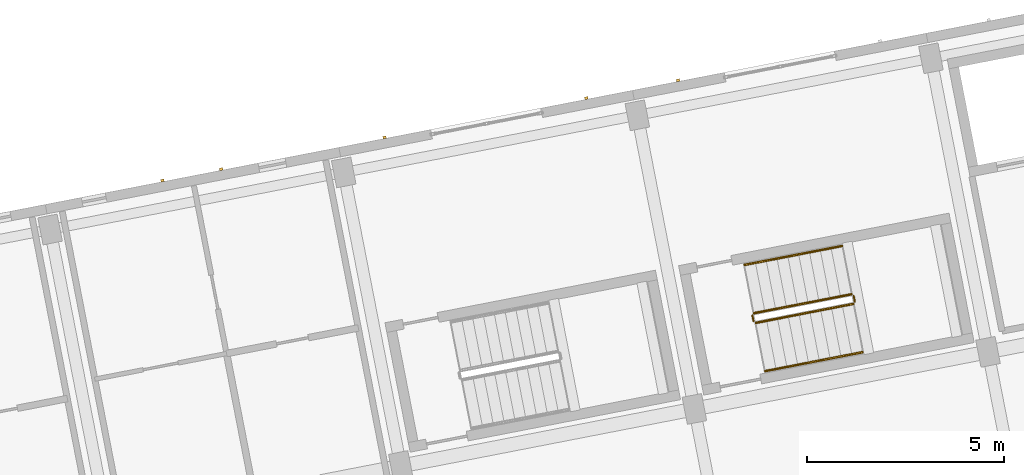
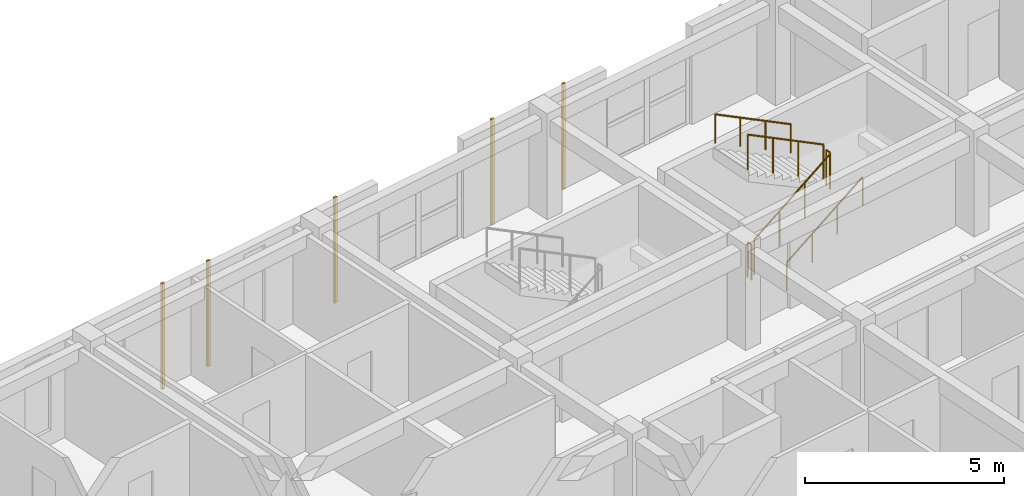
# One storey, part 120 of 127: 6 railings, 5 coverings.
"""IFC4 building model written with IfcOpenShell, lengths in metres."""

from ifc_helpers import new_model, si_unit, direction, frame, origin, origin_2d, place, context, subcontext, project, spatial, rectangle, circle, extrude, material, layer, layer_set, type_object, element, save


model = new_model("IFC4")

# Units and contexts
model_context = context("Model", 3, precision=1e-05, world=origin(), true_north=direction((0.0, 1.0)))
body_context = subcontext(model_context, "Body", "Model", "MODEL_VIEW")
ifc_project = project(units=[si_unit("LENGTHUNIT", "METRE"), si_unit("AREAUNIT", "SQUARE_METRE"), si_unit("VOLUMEUNIT", "CUBIC_METRE"), si_unit("PLANEANGLEUNIT", "RADIAN"), si_unit("MASSUNIT", "GRAM", prefix="KILO")], contexts=[model_context])

# Site, building, storey
site_placement = place(None, origin())
site = spatial("IfcSite", under=ifc_project, at=site_placement, CompositionType="ELEMENT")
building_placement = place(site_placement, origin())
building = spatial("IfcBuilding", under=site, at=building_placement, Name="Kestramere Prow Commons", CompositionType="ELEMENT")
storey_placement = place(building_placement, frame((0.0, 0.0, 8.39990234375)))
storey = spatial("IfcBuildingStorey", under=building, at=storey_placement, Name="L02", CompositionType="ELEMENT", Elevation=8.39990234375)

# Coverings
ifc_material_1 = material(Name="Weathered Zinc-Titanium Standing-Seam Cladding")
ifc_layer = layer(ifc_material_1, 0.074951171875)
ifc_layer_set = layer_set([ifc_layer], Name="Weathered Zinc-Titanium Standing-Seam Cladding")
covering_type = type_object("IfcCoveringType", Name="COV-CLAD-SEAM", PredefinedType="CLADDING", material=ifc_layer_set)
for number, where, z_axis, x_axis, name in (
    (1, (132.435791015625, 57.38525390625, -0.25), (0.0, 0.0, 1.0), (0.981627183448, 0.190808995377, 0.0), "EW-D-L02-N-2 Standing-Seam Rib 2"),
    (2, (133.927734375, 57.67529296875, -0.25), (0.0, 0.0, 1.0), (0.981627183448, 0.190808995377, 0.0), "EW-D-L02-N-2 Standing-Seam Rib 3"),
    (3, (138.07763671875, 58.48193359375, -0.25), (0.0, 0.0, 1.0), (0.981627183448, 0.190808995377, 0.0), "EW-D-L02-NP-3-L Standing-Seam Rib 1"),
    (4, (143.20654296875, 59.47900390625, -0.25), (0.0, 0.0, 1.0), (0.981627183448, 0.190808995377, 0.0), "EW-D-L02-NP-3-R Standing-Seam Rib 1"),
    (5, (145.5380859375, 59.93212890625, -0.25), (0.0, 0.0, 1.0), (0.981627183448, 0.190808995377, 0.0), "EW-D-L02-NP-4-L Standing-Seam Rib 1"),
):
    element("IfcCovering", number, at=place(storey_placement, frame(where, z_axis=z_axis, x_axis=x_axis)), inside=storey, type_object=covering_type, Name=name, PredefinedType="CLADDING", context=body_context, shape_type="SweptSolid", body=[
        extrude(rectangle(XDim=0.0849609375, YDim=0.06494140625, at=origin_2d()), origin(), (0.0, 0.0, 1.0), 3.25),
    ])

# Railings
ifc_material_2 = material(Name="Galvanised Steel S275JR", Category="steel")
railing_type_1 = type_object("IfcRailingType", Name="RL-ST-GR-1100", PredefinedType="GUARDRAIL", material=ifc_material_2)
railing_1_placement = place(storey_placement, frame((147.512939453125, 53.768310546875, 0.16259765625)))
element("IfcRailing", 6, at=railing_1_placement, inside=storey, type_object=railing_type_1, Name="L02 ST-D2 stair guard 1", PredefinedType="GUARDRAIL", context=body_context, shape_type="SweptSolid", body=[
    extrude(circle(Radius=0.02392578125, at=origin_2d()), frame((0.0, 0.0, 1.076171875), z_axis=(0.849020348783, 0.164994183454, 0.501937612437), x_axis=(-0.190765930203, 0.981635553489, 0.0)), (0.0, 0.0, 1.0), 2.91357421875),
    extrude(circle(Radius=0.02099609375, at=origin_2d()), origin(), (0.0, 0.0, 1.0), 1.052001953125),
    extrude(circle(Radius=0.02099609375, at=origin_2d()), frame((0.824462890625, 0.16015625, 0.487548828125)), (0.0, 0.0, 1.0), 1.052001953125),
    extrude(circle(Radius=0.02099609375, at=origin_2d()), frame((1.649169921875, 0.320556640625, 0.974853515625)), (0.0, 0.0, 1.0), 1.052001953125),
    extrude(circle(Radius=0.02099609375, at=origin_2d()), frame((2.4736328125, 0.480712890625, 1.46240234375)), (0.0, 0.0, 1.0), 1.052001953125),
])
railing_2_placement = place(storey_placement, frame((150.026123046875, 54.3076171875, 1.625)))
element("IfcRailing", 7, at=railing_2_placement, inside=storey, type_object=railing_type_1, Name="L02 ST-D2 stair guard 2", PredefinedType="GUARDRAIL", context=body_context, shape_type="SweptSolid", body=[
    extrude(circle(Radius=0.02392578125, at=origin_2d()), frame((0.0, 0.0, 1.076171875), z_axis=(-0.190477468355, 0.981691567677, 0.0), x_axis=(-0.981691567677, -0.190477468355, 0.0)), (0.0, 0.0, 1.0), 0.14990234375),
    extrude(circle(Radius=0.02099609375, at=origin_2d()), origin(), (0.0, 0.0, 1.0), 1.052001953125),
    extrude(circle(Radius=0.02099609375, at=origin_2d()), frame((-0.028564453125, 0.147216796875, 0.0)), (0.0, 0.0, 1.0), 1.052001953125),
])
railing_3_placement = place(storey_placement, frame((149.93896484375, 54.494384765625, 1.78759765625)))
element("IfcRailing", 8, at=railing_3_placement, inside=storey, type_object=railing_type_1, Name="L02 ST-D2 stair guard 3", PredefinedType="GUARDRAIL", context=body_context, shape_type="SweptSolid", body=[
    extrude(circle(Radius=0.02392578125, at=origin_2d()), frame((0.0, 0.0, 1.076171875), z_axis=(-0.849020348783, -0.164994183454, 0.501937612437), x_axis=(0.190765930203, -0.981635553489, 0.0)), (0.0, 0.0, 1.0), 2.91357421875),
    extrude(circle(Radius=0.02099609375, at=origin_2d()), origin(), (0.0, 0.0, 1.0), 1.052001953125),
    extrude(circle(Radius=0.02099609375, at=origin_2d()), frame((-0.824462890625, -0.16015625, 0.487548828125)), (0.0, 0.0, 1.0), 1.052001953125),
    extrude(circle(Radius=0.02099609375, at=origin_2d()), frame((-1.649169921875, -0.320556640625, 0.974853515625)), (0.0, 0.0, 1.0), 1.052001953125),
    extrude(circle(Radius=0.02099609375, at=origin_2d()), frame((-2.4736328125, -0.480712890625, 1.46240234375)), (0.0, 0.0, 1.0), 1.052001953125),
])
railing_4_placement = place(storey_placement, frame((147.454345703125, 53.807861328125, 0.0)))
element("IfcRailing", 9, at=railing_4_placement, inside=storey, type_object=railing_type_1, Name="L02 ST-D2 stair guard 4", PredefinedType="GUARDRAIL", context=body_context, shape_type="SweptSolid", body=[
    extrude(circle(Radius=0.02392578125, at=origin_2d()), frame((0.0, 0.0, 1.076171875), z_axis=(-0.190477468355, 0.981691567677, 0.0), x_axis=(-0.981691567677, -0.190477468355, 0.0)), (0.0, 0.0, 1.0), 0.14990234375),
    extrude(circle(Radius=0.02099609375, at=origin_2d()), origin(), (0.0, 0.0, 1.0), 1.052001953125),
    extrude(circle(Radius=0.02099609375, at=origin_2d()), frame((-0.028564453125, 0.147216796875, 0.0)), (0.0, 0.0, 1.0), 1.052001953125),
])
ifc_material_3 = material(Name="Stainless Steel 304", Category="steel")
railing_type_2 = type_object("IfcRailingType", Name="RL-ST-HR-900", PredefinedType="HANDRAIL", material=ifc_material_3)
railing_5_placement = place(storey_placement, frame((147.75146484375, 52.541259765625, 0.3251953125)))
element("IfcRailing", 10, at=railing_5_placement, inside=storey, type_object=railing_type_2, Name="L02 ST-D2 stair handrail 1", PredefinedType="HANDRAIL", context=body_context, shape_type="SweptSolid", body=[
    extrude(circle(Radius=0.02392578125, at=origin_2d()), frame((0.0, 0.0, 0.8759765625), z_axis=(0.849020348783, 0.164994183454, 0.501937612437), x_axis=(-0.190765930203, 0.981635553489, 0.0)), (0.0, 0.0, 1.0), 2.91357421875),
    extrude(circle(Radius=0.02099609375, at=origin_2d()), origin(), (0.0, 0.0, 1.0), 0.851806640625),
    extrude(circle(Radius=0.02099609375, at=origin_2d()), frame((0.824462890625, 0.16015625, 0.487548828125)), (0.0, 0.0, 1.0), 0.851806640625),
    extrude(circle(Radius=0.02099609375, at=origin_2d()), frame((1.649169921875, 0.320556640625, 0.974853515625)), (0.0, 0.0, 1.0), 0.851806640625),
    extrude(circle(Radius=0.02099609375, at=origin_2d()), frame((2.4736328125, 0.480712890625, 1.46240234375)), (0.0, 0.0, 1.0), 0.851806640625),
])
railing_6_placement = place(storey_placement, frame((149.700439453125, 55.721435546875, 1.9501953125)))
element("IfcRailing", 11, at=railing_6_placement, inside=storey, type_object=railing_type_2, Name="L02 ST-D2 stair handrail 2", PredefinedType="HANDRAIL", context=body_context, shape_type="SweptSolid", body=[
    extrude(circle(Radius=0.02392578125, at=origin_2d()), frame((0.0, 0.0, 0.8759765625), z_axis=(-0.849020348783, -0.164994183454, 0.501937612437), x_axis=(0.190765930203, -0.981635553489, 0.0)), (0.0, 0.0, 1.0), 2.91357421875),
    extrude(circle(Radius=0.02099609375, at=origin_2d()), origin(), (0.0, 0.0, 1.0), 0.851806640625),
    extrude(circle(Radius=0.02099609375, at=origin_2d()), frame((-0.824462890625, -0.16015625, 0.487548828125)), (0.0, 0.0, 1.0), 0.851806640625),
    extrude(circle(Radius=0.02099609375, at=origin_2d()), frame((-1.649169921875, -0.320556640625, 0.974853515625)), (0.0, 0.0, 1.0), 0.851806640625),
    extrude(circle(Radius=0.02099609375, at=origin_2d()), frame((-2.4736328125, -0.480712890625, 1.46240234375)), (0.0, 0.0, 1.0), 0.851806640625),
])

save(model, "model.ifc")
